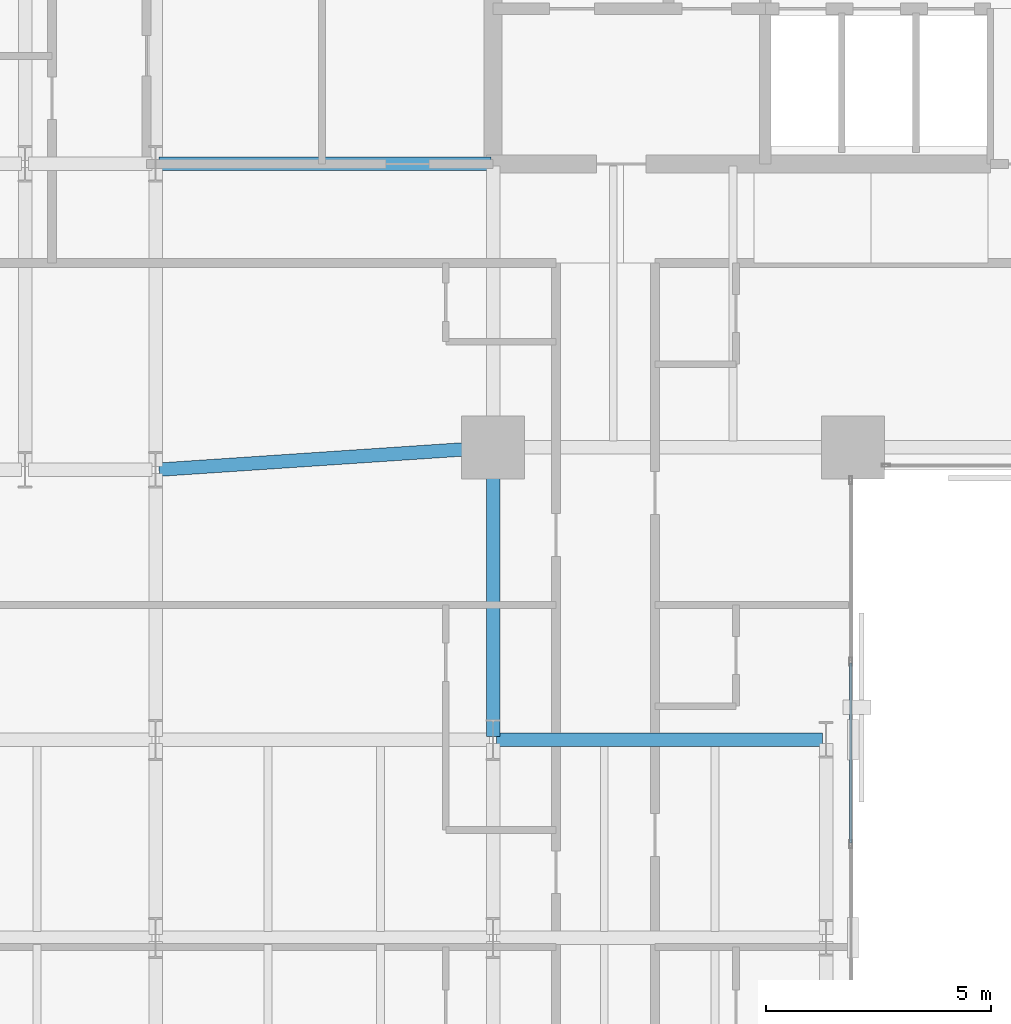
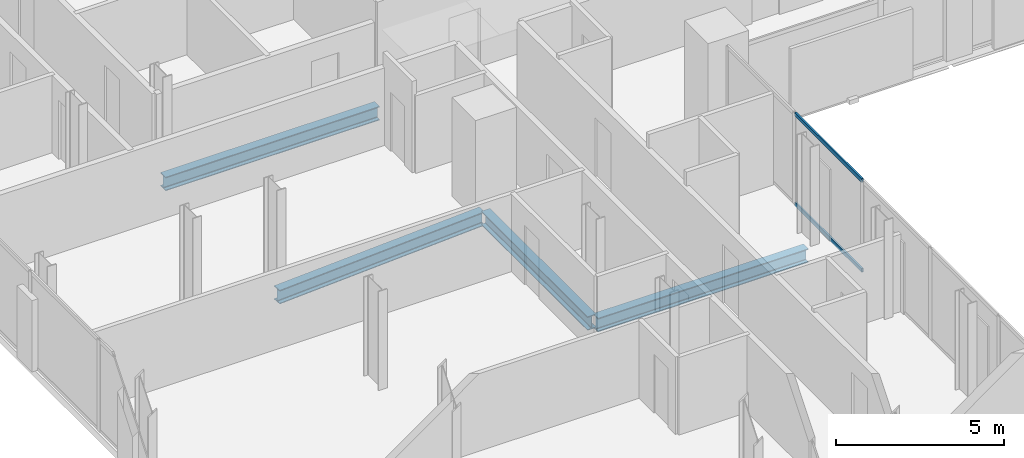
# One storey, part 12 of 33: 4 beams, 2 members, 1 element without a shape of its own.
"""IFC4 building model written with IfcOpenShell, lengths in metres."""

from ifc_helpers import new_model, si_unit, direction, frame, origin, origin_2d, place, context, subcontext, project, spatial, hollow_rectangle, i_section, extrude, material, layer, layer_set, material_profile, profile_set, type_object, element, aggregate, save


model = new_model("IFC4")

# Units and contexts
model_context = context("Model", 3, precision=1e-05, world=origin(), true_north=direction((0.0, 1.0)))
body_context = subcontext(model_context, "Body", "Model", "MODEL_VIEW")
ifc_project = project(units=[si_unit("LENGTHUNIT", "METRE"), si_unit("AREAUNIT", "SQUARE_METRE"), si_unit("VOLUMEUNIT", "CUBIC_METRE"), si_unit("PLANEANGLEUNIT", "RADIAN"), si_unit("MASSUNIT", "GRAM", prefix="KILO")], contexts=[model_context])

# Site, building, storey
site_placement = place(None, origin())
site = spatial("IfcSite", under=ifc_project, at=site_placement, CompositionType="ELEMENT")
building_placement = place(site_placement, origin())
building = spatial("IfcBuilding", under=site, at=building_placement, Name="Catumbela Crestline Tower", CompositionType="ELEMENT")
storey_placement = place(building_placement, frame((0.0, 0.0, 43.8)))
storey = spatial("IfcBuildingStorey", under=building, at=storey_placement, Name="L10", CompositionType="ELEMENT", Elevation=43.8)

# Beams
ifc_material_1 = material(Name="Structural steel S355J2", Category="steel")
ifc_material_profile_1 = material_profile(ifc_material_1, i_section(OverallWidth=0.3, OverallDepth=0.5, WebThickness=0.0145, FlangeThickness=0.028, FilletRadius=0.027, at=origin_2d()), Name="HEB 500")
ifc_profile_set_1 = profile_set([ifc_material_profile_1], Name="Structural steel S355J2")
beam_type = type_object("IfcBeamType", Name="BG-HEB500", PredefinedType="BEAM", material=ifc_profile_set_1)
beam_1_placement = place(storey_placement, frame((8.5798, 24.0053, -0.51), z_axis=(0.997784796964, 0.066524423687, 0.0), x_axis=(-0.066524423687, 0.997784796964, 0.0)))
element("IfcBeam", 1, at=beam_1_placement, inside=storey, type_object=beam_type, Name="L10 Beam BM-L10-S03", PredefinedType="BEAM", context=body_context, shape_type="SweptSolid", body=[
    extrude(i_section(OverallWidth=0.3, OverallDepth=0.5, WebThickness=0.0145, FlangeThickness=0.028, FilletRadius=0.027, at=origin_2d()), origin(), (0.0, 0.0, 1.0), 7.3567),
])
beam_2_placement = place(storey_placement, frame((8.58, 30.8, -0.51), z_axis=(1.0, 0.0, 0.0), x_axis=(0.0, 1.0, 0.0)))
element("IfcBeam", 2, at=beam_2_placement, inside=storey, type_object=beam_type, Name="L10 Beam BM-L10-M09", PredefinedType="BEAM", context=body_context, shape_type="SweptSolid", body=[
    extrude(i_section(OverallWidth=0.3, OverallDepth=0.5, WebThickness=0.0145, FlangeThickness=0.028, FilletRadius=0.027, at=origin_2d()), origin(), (0.0, 0.0, 1.0), 7.37),
])
beam_3_placement = place(storey_placement, frame((16.08, 18.0, -0.51), z_axis=(1.0, 0.0, 0.0), x_axis=(0.0, 1.0, 0.0)))
element("IfcBeam", 3, at=beam_3_placement, inside=storey, type_object=beam_type, Name="L10 Beam BM-L10-WEW56", PredefinedType="BEAM", context=body_context, shape_type="SweptSolid", body=[
    extrude(i_section(OverallWidth=0.3, OverallDepth=0.5, WebThickness=0.0145, FlangeThickness=0.028, FilletRadius=0.027, at=origin_2d()), origin(), (0.0, 0.0, 1.0), 7.24),
])
beam_4_placement = place(storey_placement, frame((16.0, 18.08, -0.51), z_axis=(0.0, 1.0, 0.0), x_axis=(-1.0, 0.0, 0.0)))
element("IfcBeam", 4, at=beam_4_placement, inside=storey, type_object=beam_type, Name="L10 Beam BM-L10-WNS67", PredefinedType="BEAM", context=body_context, shape_type="SweptSolid", body=[
    extrude(i_section(OverallWidth=0.3, OverallDepth=0.5, WebThickness=0.0145, FlangeThickness=0.028, FilletRadius=0.027, at=origin_2d()), origin(), (0.0, 0.0, 1.0), 6.34),
])

# Curtain wall, members
ifc_material_2 = material(Name="Aluminium alloy AW-6060-T66", Category="aluminium")
ifc_layer = layer(ifc_material_2, 0.18, Name="Aluminium alloy AW-6060-T66")
ifc_layer_set = layer_set([ifc_layer], Name="Aluminium alloy AW-6060-T66")
curtain_wall_type = type_object("IfcCurtainWallType", Name="CWU-Z1", PredefinedType="USERDEFINED", material=ifc_layer_set)
curtain_wall_placement = place(storey_placement, origin())
curtain_wall = element("IfcCurtainWall", 5, at=curtain_wall_placement, inside=storey, type_object=curtain_wall_type, Name="L10 Unitised Curtain Wall CW-L10-E2S1", ObjectType="UNITISED", PredefinedType="USERDEFINED")
ifc_material_profile_2 = material_profile(ifc_material_2, hollow_rectangle(XDim=0.06, YDim=0.14, WallThickness=0.004, at=origin_2d()), Name="ALU 140x60x4")
ifc_profile_set_2 = profile_set([ifc_material_profile_2], Name="Aluminium alloy AW-6060-T66")
member_type = type_object("IfcMemberType", Name="TRN-140X60", PredefinedType="USERDEFINED", material=ifc_profile_set_2)
member_1_placement = place(storey_placement, frame((23.95, 15.7125, 0.03), z_axis=(0.0, 1.0, 0.0), x_axis=(-1.0, 0.0, 0.0)))
member_1 = element("IfcMember", 6, at=member_1_placement, type_object=member_type, Name="CWU-Z1 transom 4.1", ObjectType="TRANSOM", PredefinedType="USERDEFINED", context=body_context, shape_type="SweptSolid", body=[
    extrude(hollow_rectangle(XDim=0.06, YDim=0.14, WallThickness=0.004, at=origin_2d()), origin(), (0.0, 0.0, 1.0), 3.995),
])
member_2_placement = place(storey_placement, frame((23.95, 15.7125, 3.3), z_axis=(0.0, 1.0, 0.0), x_axis=(-1.0, 0.0, 0.0)))
member_2 = element("IfcMember", 7, at=member_2_placement, type_object=member_type, Name="CWU-Z1 transom 4.2", ObjectType="TRANSOM", PredefinedType="USERDEFINED", context=body_context, shape_type="SweptSolid", body=[
    extrude(hollow_rectangle(XDim=0.06, YDim=0.14, WallThickness=0.004, at=origin_2d()), origin(), (0.0, 0.0, 1.0), 3.995),
])
aggregate(curtain_wall, [member_1, member_2])

save(model, "model.ifc")
